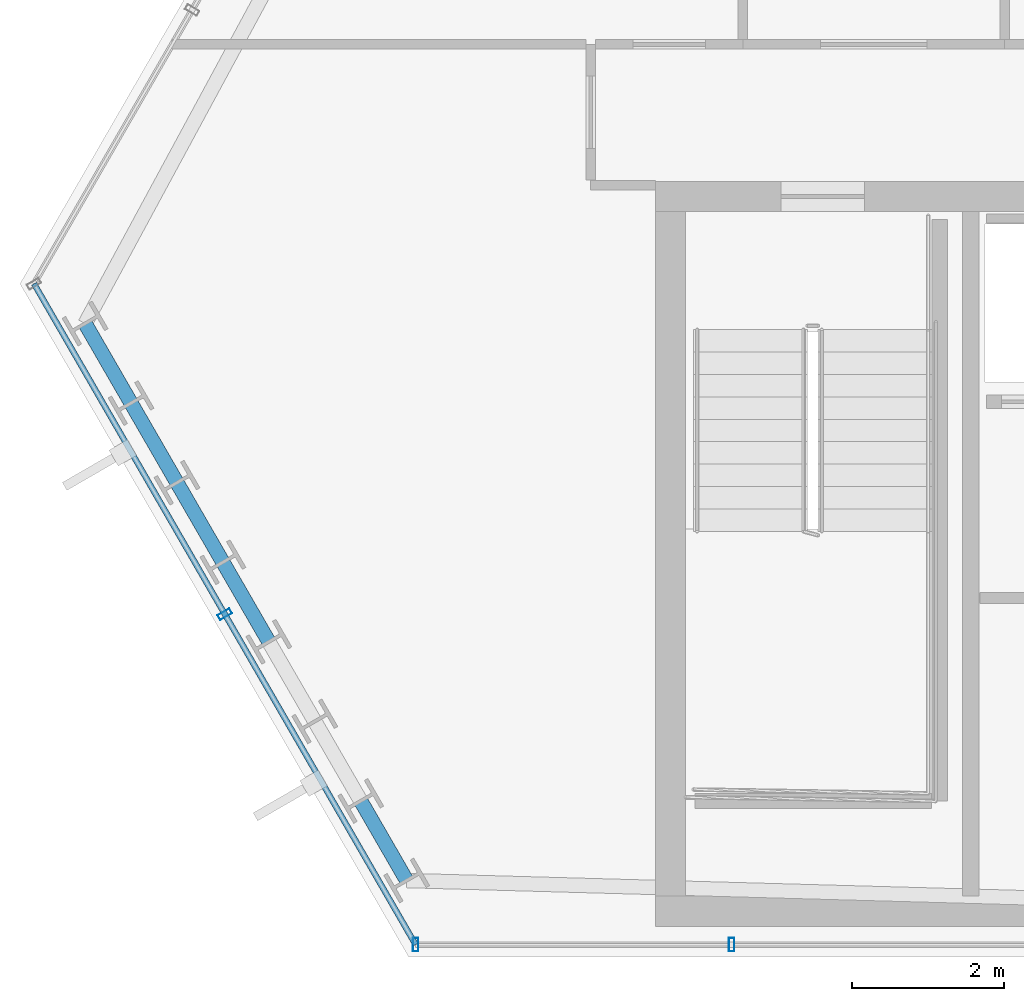
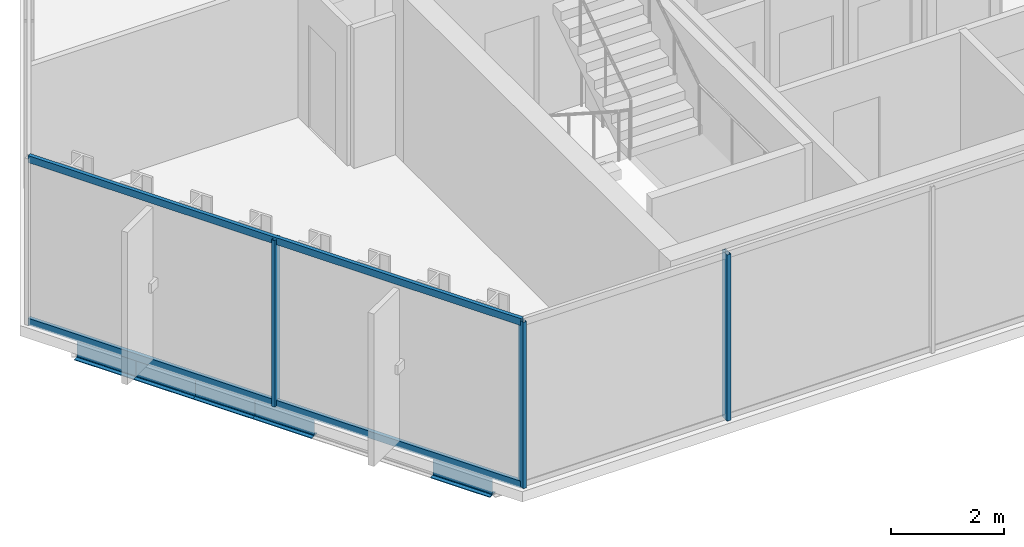
# One storey, part 2 of 35: 5 beams, 5 members, 2 elements without a shape of their own.
"""IFC4 building model written with IfcOpenShell, lengths in metres."""

from ifc_helpers import new_model, si_unit, direction, frame, origin, origin_2d, place, context, subcontext, project, spatial, hollow_rectangle, i_section, extrude, material, layer, layer_set, material_profile, profile_set, type_object, element, aggregate, save


model = new_model("IFC4")

# Units and contexts
model_context = context("Model", 3, precision=1e-05, world=origin(), true_north=direction((0.0, 1.0)))
body_context = subcontext(model_context, "Body", "Model", "MODEL_VIEW")
ifc_project = project(units=[si_unit("LENGTHUNIT", "METRE"), si_unit("AREAUNIT", "SQUARE_METRE"), si_unit("VOLUMEUNIT", "CUBIC_METRE"), si_unit("PLANEANGLEUNIT", "RADIAN"), si_unit("MASSUNIT", "GRAM", prefix="KILO")], contexts=[model_context])

# Site, building, storey
site_placement = place(None, origin())
site = spatial("IfcSite", under=ifc_project, at=site_placement, CompositionType="ELEMENT")
building_placement = place(site_placement, origin())
building = spatial("IfcBuilding", under=site, at=building_placement, Name="Ndaravel Arena Tower", CompositionType="ELEMENT")
storey_placement = place(building_placement, frame((0.0, 0.0, 176.39990234375)))
storey = spatial("IfcBuildingStorey", under=building, at=storey_placement, Name="L42", CompositionType="ELEMENT", Elevation=176.39990234375)

# Beams
ifc_material_1 = material(Name="Steel S355", Category="steel")
ifc_material_profile_1 = material_profile(ifc_material_1, i_section(OverallWidth=0.18994140625, OverallDepth=0.449951171875, WebThickness=0.009521484375, FlangeThickness=0.0146484375, FilletRadius=0.02099609375, at=origin_2d()), Name="IPE 450")
ifc_profile_set_1 = profile_set([ifc_material_profile_1], Name="Steel S355")
beam_type = type_object("IfcBeamType", Name="BM-SPAN-IPE450", PredefinedType="SPANDREL", material=ifc_profile_set_1)
for number, where, z_axis, x_axis, name in (
    (1, (18.949462890625, 13.32958984375, -0.44482421875), (0.499984757355, -0.866034203951, 0.0), (0.866034203951, 0.499984757355, 0.0), "L42 Perimeter Spandrel Beam SP-20"),
    (2, (19.5537109375, 12.282958984375, -0.44482421875), (0.499984757355, -0.866034203951, 0.0), (0.866034203951, 0.499984757355, 0.0), "L42 Perimeter Spandrel Beam SP-21"),
    (3, (20.157958984375, 11.236328125, -0.44482421875), (0.499984757355, -0.866034203951, 0.0), (0.866034203951, 0.499984757355, 0.0), "L42 Perimeter Spandrel Beam SP-22"),
    (4, (20.76220703125, 10.189697265625, -0.44482421875), (0.499984757355, -0.866034203951, 0.0), (0.866034203951, 0.499984757355, 0.0), "L42 Perimeter Spandrel Beam SP-23"),
):
    element("IfcBeam", number, at=place(storey_placement, frame(where, z_axis=z_axis, x_axis=x_axis)), inside=storey, type_object=beam_type, Name=name, PredefinedType="SPANDREL", context=body_context, shape_type="SweptSolid", body=[
        extrude(i_section(OverallWidth=0.18994140625, OverallDepth=0.449951171875, WebThickness=0.009521484375, FlangeThickness=0.0146484375, FilletRadius=0.02099609375, at=origin_2d()), origin(), (0.0, 0.0, 1.0), 1.20849609375),
    ])
beam_placement = place(storey_placement, frame((22.574951171875, 7.0498046875, -0.44482421875), z_axis=(0.500072242978, -0.865983690264, 0.0), x_axis=(0.865983690264, 0.500072242978, 0.0)))
element("IfcBeam", 5, at=beam_placement, inside=storey, type_object=beam_type, Name="L42 Perimeter Spandrel Beam SP-26", PredefinedType="SPANDREL", context=body_context, shape_type="SweptSolid", body=[
    extrude(i_section(OverallWidth=0.18994140625, OverallDepth=0.449951171875, WebThickness=0.009521484375, FlangeThickness=0.0146484375, FilletRadius=0.02099609375, at=origin_2d()), origin(), (0.0, 0.0, 1.0), 1.208251953125),
])

# Curtain wall, members
ifc_material_2 = material(Name="Aluminium", Category="aluminium")
ifc_layer_1 = layer(ifc_material_2, 0.179931640625)
ifc_layer_set_1 = layer_set([ifc_layer_1], Name="Aluminium")
curtain_wall_type_1 = type_object("IfcCurtainWallType", Name="CW-SYS-03", PredefinedType="NOTDEFINED", material=ifc_layer_set_1)
curtain_wall_1_placement = place(storey_placement, origin())
curtain_wall_1 = element("IfcCurtainWall", 6, at=curtain_wall_1_placement, inside=storey, type_object=curtain_wall_type_1, Name="L42 Faceted Crystal Curtain Wall CW-L42-E01", PredefinedType="NOTDEFINED")
ifc_material_3 = material(Name="Aluminium", Category="aluminium")
ifc_material_profile_2 = material_profile(ifc_material_3, hollow_rectangle(XDim=0.074951171875, YDim=0.179931640625, WallThickness=0.00390625, at=origin_2d()), Name="CW MULLION 75x180x4")
ifc_profile_set_2 = profile_set([ifc_material_profile_2], Name="Aluminium")
member_type_1 = type_object("IfcMemberType", Name="MEM-CW-MUL180", PredefinedType="MULLION", material=ifc_profile_set_2)
member_1_placement = place(storey_placement, frame((23.296630859375, 5.159912109375, 0.0), z_axis=(0.0, 0.0, 1.0), x_axis=(1.0, 0.0, 0.0)))
member_1 = element("IfcMember", 7, at=member_1_placement, type_object=member_type_1, Name="CW-L42-E01 Mullion 00", PredefinedType="MULLION", context=body_context, shape_type="SweptSolid", body=[
    extrude(hollow_rectangle(XDim=0.074951171875, YDim=0.179931640625, WallThickness=0.00390625, at=origin_2d()), origin(), (0.0, 0.0, 1.0), 3.580078125),
])
member_2_placement = place(storey_placement, frame((27.452880859375, 5.159912109375, 0.0), z_axis=(0.0, 0.0, 1.0), x_axis=(1.0, 0.0, 0.0)))
member_2 = element("IfcMember", 8, at=member_2_placement, type_object=member_type_1, Name="CW-L42-E01 Mullion 01", PredefinedType="MULLION", context=body_context, shape_type="SweptSolid", body=[
    extrude(hollow_rectangle(XDim=0.074951171875, YDim=0.179931640625, WallThickness=0.00390625, at=origin_2d()), origin(), (0.0, 0.0, 1.0), 3.580078125),
])
aggregate(curtain_wall_1, [member_1, member_2])

ifc_material_4 = material(Name="Aluminium", Category="aluminium")
ifc_layer_2 = layer(ifc_material_4, 0.179931640625)
ifc_layer_set_2 = layer_set([ifc_layer_2], Name="Aluminium")
curtain_wall_type_2 = type_object("IfcCurtainWallType", Name="CW-SYS-02", PredefinedType="NOTDEFINED", material=ifc_layer_set_2)
curtain_wall_2_placement = place(storey_placement, origin())
curtain_wall_2 = element("IfcCurtainWall", 9, at=curtain_wall_2_placement, inside=storey, type_object=curtain_wall_type_2, Name="L42 Faceted Crystal Curtain Wall CW-L42-E06", PredefinedType="NOTDEFINED")
member_3_placement = place(storey_placement, frame((20.787109375, 9.506591796875, 0.0), z_axis=(0.0, 0.0, 1.0), x_axis=(0.5, -0.866025403784, 0.0)))
member_3 = element("IfcMember", 10, at=member_3_placement, type_object=member_type_1, Name="CW-L42-E06 Mullion 01", PredefinedType="MULLION", context=body_context, shape_type="SweptSolid", body=[
    extrude(hollow_rectangle(XDim=0.074951171875, YDim=0.179931640625, WallThickness=0.00390625, at=origin_2d()), origin(), (0.0, 0.0, 1.0), 3.580078125),
])
ifc_material_5 = material(Name="Aluminium", Category="aluminium")
ifc_material_profile_3 = material_profile(ifc_material_5, hollow_rectangle(XDim=0.074951171875, YDim=0.14990234375, WallThickness=0.00390625, at=origin_2d()), Name="CW TRANSOM 75x150x4")
ifc_profile_set_3 = profile_set([ifc_material_profile_3], Name="Aluminium")
member_type_2 = type_object("IfcMemberType", Name="MEM-CW-TRN150", PredefinedType="USERDEFINED", material=ifc_profile_set_3)
member_4_placement = place(storey_placement, frame((18.27783203125, 13.852783203125, 0.0400390625), z_axis=(0.499997561338, -0.866026811742, 0.0), x_axis=(0.866026811742, 0.499997561338, 0.0)))
member_4 = element("IfcMember", 11, at=member_4_placement, type_object=member_type_2, Name="CW-L42-E06 Transom 01", ObjectType="TRANSOM", PredefinedType="USERDEFINED", context=body_context, shape_type="SweptSolid", body=[
    extrude(hollow_rectangle(XDim=0.074951171875, YDim=0.14990234375, WallThickness=0.00390625, at=origin_2d()), origin(), (0.0, 0.0, 1.0), 10.03759765625),
])
member_5_placement = place(storey_placement, frame((18.27783203125, 13.852783203125, 3.5400390625), z_axis=(0.499997561338, -0.866026811742, 0.0), x_axis=(0.866026811742, 0.499997561338, 0.0)))
member_5 = element("IfcMember", 12, at=member_5_placement, type_object=member_type_2, Name="CW-L42-E06 Transom 02", ObjectType="TRANSOM", PredefinedType="USERDEFINED", context=body_context, shape_type="SweptSolid", body=[
    extrude(hollow_rectangle(XDim=0.074951171875, YDim=0.14990234375, WallThickness=0.00390625, at=origin_2d()), origin(), (0.0, 0.0, 1.0), 10.03759765625),
])
aggregate(curtain_wall_2, [member_3, member_4, member_5])

save(model, "model.ifc")
